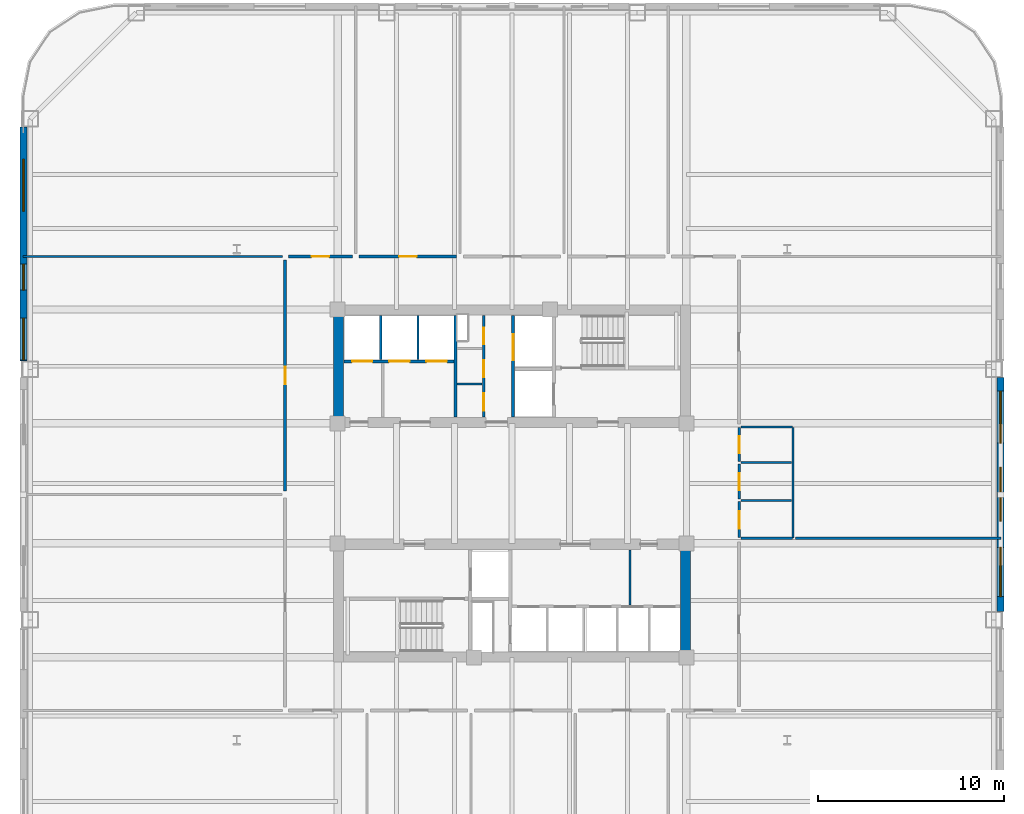
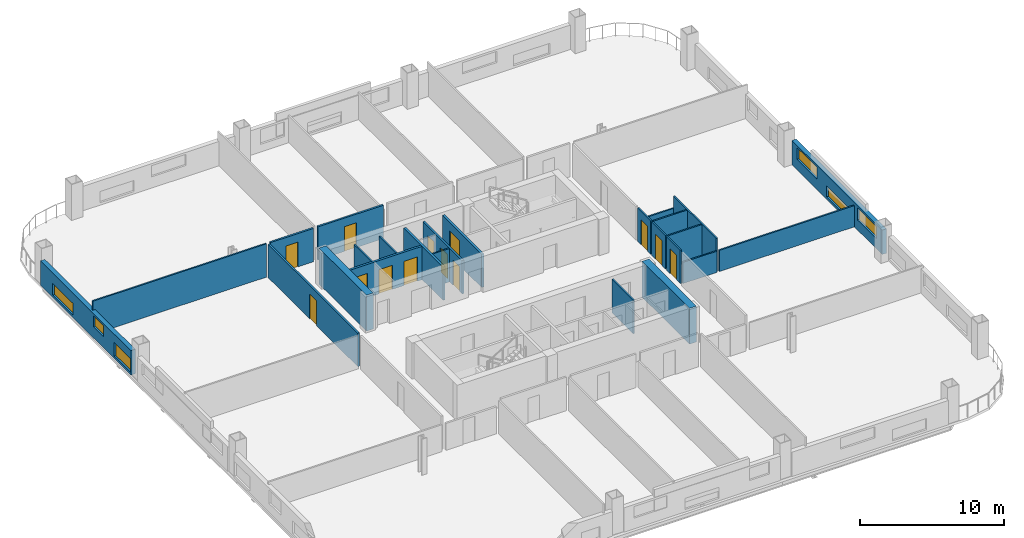
# One storey, part 4 of 12: 25 walls, 13 doors, 6 windows, 19 openings.
"""IFC4 building model written with IfcOpenShell, lengths in metres."""

from ifc_helpers import new_model, si_unit, direction, frame, frame_2d, origin, place, context, subcontext, project, spatial, rectangle, extrude, material, layer, layer_set, type_object, element, fill, save


model = new_model("IFC4")

# Units and contexts
model_context = context("Model", 3, precision=1e-05, world=origin(), true_north=direction((0.0, 1.0)))
body_context = subcontext(model_context, "Body", "Model", "MODEL_VIEW")
ifc_project = project(units=[si_unit("LENGTHUNIT", "METRE"), si_unit("AREAUNIT", "SQUARE_METRE"), si_unit("VOLUMEUNIT", "CUBIC_METRE"), si_unit("PLANEANGLEUNIT", "RADIAN"), si_unit("MASSUNIT", "GRAM", prefix="KILO")], contexts=[model_context])

# Site, building, storey
site_placement = place(None, origin())
site = spatial("IfcSite", under=ifc_project, at=site_placement, CompositionType="ELEMENT")
building_placement = place(site_placement, origin())
building = spatial("IfcBuilding", under=site, at=building_placement, Name="Qhalaya Broadcast Tower", CompositionType="ELEMENT")
storey_placement = place(building_placement, frame((0.0, 0.0, 41.35009765625)))
storey = spatial("IfcBuildingStorey", under=building, at=storey_placement, Name="L11", CompositionType="ELEMENT", Elevation=41.35009765625)

# Wall, openings, doors
ifc_material_1 = material(Name="Gypsum Acoustic Partition")
ifc_layer_1 = layer(ifc_material_1, 0.14990234375, Name="Gypsum Acoustic Partition")
ifc_layer_set_1 = layer_set([ifc_layer_1], Name="Gypsum Acoustic Partition")
wall_type_1 = type_object("IfcWallType", Name="Corridor & Tenancy Acoustic Partition 150", PredefinedType="PARTITIONING", material=ifc_layer_set_1)
wall_1_placement = place(storey_placement, frame((-1.52001953125, 4.169921875, 0.0), z_axis=(0.0, 0.0, 1.0), x_axis=(0.0, 1.0, 0.0)))
wall_1 = element("IfcWall", 1, at=wall_1_placement, inside=storey, type_object=wall_type_1, Name="L11 Partition Wall NCW-SVL", PredefinedType="PARTITIONING", context=body_context, shape_type="SweptSolid", body=[
    extrude(rectangle(XDim=5.4599609375, YDim=0.14990234375, at=frame_2d((2.72998046875, 0.0))), origin(), (0.0, 0.0, 1.0), 2.829833984375),
])
opening_1_placement = place(wall_1_placement, frame((3.89990234375, 0.0, 0.0)))
opening_1 = element("IfcOpeningElement", 2, at=opening_1_placement, cuts=wall_1, Name="Opening D06", PredefinedType="OPENING", context=body_context, shape_type="SweptSolid", body=[
    extrude(rectangle(XDim=0.89990234375, YDim=2.050048828125, at=frame_2d((0.449951171875, 1.02490234375))), frame((0.0, 0.0869140625, 0.0), z_axis=(0.0, -1.0, 0.0), x_axis=(1.0, 0.0, 0.0)), (0.0, 0.0, 1.0), 0.173828125),
])
opening_2_placement = place(wall_1_placement, frame((2.14990234375, 0.0, 0.0)))
opening_2 = element("IfcOpeningElement", 3, at=opening_2_placement, cuts=wall_1, Name="Opening D06", PredefinedType="OPENING", context=body_context, shape_type="SweptSolid", body=[
    extrude(rectangle(XDim=0.89990234375, YDim=2.050048828125, at=frame_2d((0.449951171875, 1.02490234375))), frame((0.0, 0.0869140625, 0.0), z_axis=(0.0, -1.0, 0.0), x_axis=(1.0, 0.0, 0.0)), (0.0, 0.0, 1.0), 0.173828125),
])
opening_3_placement = place(wall_1_placement, frame((0.35009765625, 0.0, 0.0)))
opening_3 = element("IfcOpeningElement", 4, at=opening_3_placement, cuts=wall_1, Name="Opening D12", PredefinedType="OPENING", context=body_context, shape_type="SweptSolid", body=[
    extrude(rectangle(XDim=0.919921875, YDim=2.10009765625, at=frame_2d((0.4599609375, 1.050048828125))), frame((0.0, 0.0869140625, 0.0), z_axis=(0.0, -1.0, 0.0), x_axis=(1.0, 0.0, 0.0)), (0.0, 0.0, 1.0), 0.173828125),
])
ifc_material_2 = material(Name="Timber Veneer Acoustic Door", Category="wood")
door_type_1 = type_object("IfcDoorType", Name="Accessible WC & Restroom Door D12", OperationType="NOTDEFINED", PredefinedType="DOOR", material=ifc_material_2)
door_1_placement = place(opening_3_placement, origin())
door_1 = element("IfcDoor", 5, at=door_1_placement, inside=storey, type_object=door_type_1, Name="L11 Door D-NCWC", OperationType="SINGLE_SWING_RIGHT", OverallHeight=2.10009765625, OverallWidth=0.919921875, PredefinedType="DOOR", context=body_context, shape_type="SweptSolid", body=[
    extrude(rectangle(XDim=0.919921875, YDim=2.10009765625, at=frame_2d((0.4599609375, 1.050048828125))), frame((0.0, 0.02490234375, 0.0), z_axis=(0.0, -1.0, 0.0), x_axis=(1.0, 0.0, 0.0)), (0.0, 0.0, 1.0), 0.050048828125),
])
fill(opening_3, door_1)
ifc_material_3 = material(Name="Fire-Rated Steel Door", Category="steel")
door_type_2 = type_object("IfcDoorType", Name="Riser & Electrical Shaft Access Door D06", OperationType="NOTDEFINED", PredefinedType="DOOR", material=ifc_material_3)
door_2_placement = place(opening_1_placement, origin())
door_2 = element("IfcDoor", 6, at=door_2_placement, inside=storey, type_object=door_type_2, Name="L11 Riser Shaft Access Door D-NRSR", OperationType="SINGLE_SWING_RIGHT", OverallHeight=2.050048828125, OverallWidth=0.89990234375, PredefinedType="DOOR", context=body_context, shape_type="SweptSolid", body=[
    extrude(rectangle(XDim=0.89990234375, YDim=2.050048828125, at=frame_2d((0.449951171875, 1.02490234375))), frame((0.0, 0.02490234375, 0.0), z_axis=(0.0, -1.0, 0.0), x_axis=(1.0, 0.0, 0.0)), (0.0, 0.0, 1.0), 0.050048828125),
])
fill(opening_1, door_2)
door_3_placement = place(opening_2_placement, origin())
door_3 = element("IfcDoor", 7, at=door_3_placement, inside=storey, type_object=door_type_2, Name="L11 Door D-NITR", OperationType="SINGLE_SWING_LEFT", OverallHeight=2.050048828125, OverallWidth=0.89990234375, PredefinedType="DOOR", context=body_context, shape_type="SweptSolid", body=[
    extrude(rectangle(XDim=0.89990234375, YDim=2.050048828125, at=frame_2d((0.449951171875, 1.02490234375))), frame((0.0, 0.02490234375, 0.0), z_axis=(0.0, -1.0, 0.0), x_axis=(1.0, 0.0, 0.0)), (0.0, 0.0, 1.0), 0.050048828125),
])
fill(opening_2, door_3)

# Wall, opening, door
wall_2_placement = place(storey_placement, frame((-12.02001953125, 12.800048828125, 0.0), z_axis=(0.0, 0.0, 1.0), x_axis=(1.0, 0.0, 0.0)))
wall_2 = element("IfcWall", 8, at=wall_2_placement, inside=storey, type_object=wall_type_1, Name="L11 Partition Wall W-COR-01", PredefinedType="PARTITIONING", context=body_context, shape_type="SweptSolid", body=[
    extrude(rectangle(XDim=3.43994140625, YDim=0.14990234375, at=frame_2d((1.719970703125, 0.0))), origin(), (0.0, 0.0, 1.0), 2.829833984375),
])
opening_4_placement = place(wall_2_placement, frame((1.2451171875, 0.0, 0.0)))
opening_4 = element("IfcOpeningElement", 9, at=opening_4_placement, cuts=wall_2, Name="Opening D10", PredefinedType="OPENING", context=body_context, shape_type="SweptSolid", body=[
    extrude(rectangle(XDim=0.949951171875, YDim=2.10009765625, at=frame_2d((0.47509765625, 1.050048828125))), frame((0.0, 0.0869140625, 0.0), z_axis=(0.0, -1.0, 0.0), x_axis=(1.0, 0.0, 0.0)), (0.0, 0.0, 1.0), 0.173828125),
])
door_type_3 = type_object("IfcDoorType", Name="Cellular Office & Edit Booth Door D10", OperationType="NOTDEFINED", PredefinedType="DOOR", material=ifc_material_2)
door_4_placement = place(opening_4_placement, origin())
door_4 = element("IfcDoor", 10, at=door_4_placement, inside=storey, type_object=door_type_3, Name="L11 Door D-RM01", OperationType="SINGLE_SWING_LEFT", OverallHeight=2.10009765625, OverallWidth=0.949951171875, PredefinedType="DOOR", context=body_context, shape_type="SweptSolid", body=[
    extrude(rectangle(XDim=0.949951171875, YDim=2.10009765625, at=frame_2d((0.47509765625, 1.050048828125))), frame((0.0, 0.02490234375, 0.0), z_axis=(0.0, -1.0, 0.0), x_axis=(1.0, 0.0, 0.0)), (0.0, 0.0, 1.0), 0.050048828125),
])
fill(opening_4, door_4)

wall_3_placement = place(storey_placement, frame((-8.219970703125, 12.800048828125, 0.0), z_axis=(0.0, 0.0, 1.0), x_axis=(1.0, 0.0, 0.0)))
wall_3 = element("IfcWall", 11, at=wall_3_placement, inside=storey, type_object=wall_type_1, Name="L11 Partition Wall W-COR-02", PredefinedType="PARTITIONING", context=body_context, shape_type="SweptSolid", body=[
    extrude(rectangle(XDim=5.239990234375, YDim=0.14990234375, at=frame_2d((2.6201171875, 0.0))), origin(), (0.0, 0.0, 1.0), 2.829833984375),
])
opening_5_placement = place(wall_3_placement, frame((2.14501953125, 0.0, 0.0)))
opening_5 = element("IfcOpeningElement", 12, at=opening_5_placement, cuts=wall_3, Name="Opening D10", PredefinedType="OPENING", context=body_context, shape_type="SweptSolid", body=[
    extrude(rectangle(XDim=0.949951171875, YDim=2.10009765625, at=frame_2d((0.47509765625, 1.050048828125))), frame((0.0, 0.0869140625, 0.0), z_axis=(0.0, -1.0, 0.0), x_axis=(1.0, 0.0, 0.0)), (0.0, 0.0, 1.0), 0.173828125),
])
door_5_placement = place(opening_5_placement, origin())
door_5 = element("IfcDoor", 13, at=door_5_placement, inside=storey, type_object=door_type_3, Name="L11 Door D-RM02", OperationType="SINGLE_SWING_RIGHT", OverallHeight=2.10009765625, OverallWidth=0.949951171875, PredefinedType="DOOR", context=body_context, shape_type="SweptSolid", body=[
    extrude(rectangle(XDim=0.949951171875, YDim=2.10009765625, at=frame_2d((0.47509765625, 1.050048828125))), frame((0.0, 0.02490234375, 0.0), z_axis=(0.0, -1.0, 0.0), x_axis=(1.0, 0.0, 0.0)), (0.0, 0.0, 1.0), 0.050048828125),
])
fill(opening_5, door_5)

wall_4_placement = place(storey_placement, frame((-12.199951171875, 0.179931640625, 0.0), z_axis=(0.0, 0.0, 1.0), x_axis=(0.0, 1.0, 0.0)))
wall_4 = element("IfcWall", 14, at=wall_4_placement, inside=storey, type_object=wall_type_1, Name="L11 Partition Wall W-COR-12", PredefinedType="PARTITIONING", context=body_context, shape_type="SweptSolid", body=[
    extrude(rectangle(XDim=12.440185546875, YDim=0.14990234375, at=frame_2d((6.22021484375, 0.0))), origin(), (0.0, 0.0, 1.0), 2.829833984375),
])
opening_6_placement = place(wall_4_placement, frame((5.7451171875, 0.0, 0.0)))
opening_6 = element("IfcOpeningElement", 15, at=opening_6_placement, cuts=wall_4, Name="Opening D10", PredefinedType="OPENING", context=body_context, shape_type="SweptSolid", body=[
    extrude(rectangle(XDim=0.949951171875, YDim=2.10009765625, at=frame_2d((0.47509765625, 1.050048828125))), frame((0.0, 0.0869140625, 0.0), z_axis=(0.0, -1.0, 0.0), x_axis=(1.0, 0.0, 0.0)), (0.0, 0.0, 1.0), 0.173828125),
])
door_6_placement = place(opening_6_placement, origin())
door_6 = element("IfcDoor", 16, at=door_6_placement, inside=storey, type_object=door_type_3, Name="L11 Door D-RM12", OperationType="SINGLE_SWING_RIGHT", OverallHeight=2.10009765625, OverallWidth=0.949951171875, PredefinedType="DOOR", context=body_context, shape_type="SweptSolid", body=[
    extrude(rectangle(XDim=0.949951171875, YDim=2.10009765625, at=frame_2d((0.47509765625, 1.050048828125))), frame((0.0, 0.02490234375, 0.0), z_axis=(0.0, -1.0, 0.0), x_axis=(1.0, 0.0, 0.0)), (0.0, 0.0, 1.0), 0.050048828125),
])
fill(opening_6, door_6)

# Wall, openings, windows
ifc_material_4 = material(Name="Precast Concrete C40/50", Category="concrete")
ifc_layer_2 = layer(ifc_material_4, 0.360107421875, Name="Precast Concrete C40/50")
ifc_layer_set_2 = layer_set([ifc_layer_2], Name="Precast Concrete C40/50")
wall_type_2 = type_object("IfcWallType", Name="Insulated Precast Terracotta Exterior Wall 360", PredefinedType="SOLIDWALL", material=ifc_layer_set_2)
wall_5_placement = place(storey_placement, frame((26.260009765625, 6.283203125, 0.0), z_axis=(0.0, 0.0, 1.0), x_axis=(0.0, -1.0, 0.0)))
wall_5 = element("IfcWall", 17, at=wall_5_placement, inside=storey, type_object=wall_type_2, Name="L11 Exoskeleton Diagrid Infill Wall E2", PredefinedType="SOLIDWALL", context=body_context, shape_type="SweptSolid", body=[
    extrude(rectangle(XDim=12.56640625, YDim=0.360107421875, at=frame_2d((6.283203125, 0.0))), origin(), (0.0, 0.0, 1.0), 2.06689453125),
])
opening_7_placement = place(wall_5_placement, frame((0.720947265625, 0.0, 0.89990234375)))
opening_7 = element("IfcOpeningElement", 18, at=opening_7_placement, cuts=wall_5, Name="Opening W11", PredefinedType="OPENING", context=body_context, shape_type="SweptSolid", body=[
    extrude(rectangle(XDim=2.800048828125, YDim=1.0, at=frame_2d((1.39990234375, 0.5))), frame((0.0, 0.192138671875, 0.0), z_axis=(0.0, -1.0, 0.0), x_axis=(1.0, 0.0, 0.0)), (0.0, 0.0, 1.0), 0.384033203125),
])
opening_8_placement = place(wall_5_placement, frame((4.821044921875, 0.0, 0.199951171875)))
opening_8 = element("IfcOpeningElement", 19, at=opening_8_placement, cuts=wall_5, Name="Opening W11", PredefinedType="OPENING", context=body_context, shape_type="SweptSolid", body=[
    extrude(rectangle(XDim=2.89990234375, YDim=0.949951171875, at=frame_2d((1.449951171875, 0.47509765625))), frame((0.0, 0.192138671875, 0.0), z_axis=(0.0, -1.0, 0.0), x_axis=(1.0, 0.0, 0.0)), (0.0, 0.0, 1.0), 0.384033203125),
])
opening_9_placement = place(wall_5_placement, frame((9.12109375, 0.0, 0.85009765625)))
opening_9 = element("IfcOpeningElement", 20, at=opening_9_placement, cuts=wall_5, Name="Opening W11", PredefinedType="OPENING", context=body_context, shape_type="SweptSolid", body=[
    extrude(rectangle(XDim=2.64990234375, YDim=1.050048828125, at=frame_2d((1.324951171875, 0.52490234375))), frame((0.0, 0.192138671875, 0.0), z_axis=(0.0, -1.0, 0.0), x_axis=(1.0, 0.0, 0.0)), (0.0, 0.0, 1.0), 0.384033203125),
])
ifc_material_5 = material(Name="Solar-Control Low-E Triple Glazing", Category="glass")
window_type = type_object("IfcWindowType", Name="Odd-Block Diagrid Infill Window W11", PartitioningType="SINGLE_PANEL", PredefinedType="WINDOW", material=ifc_material_5)
window_1_placement = place(opening_7_placement, origin())
window_1 = element("IfcWindow", 21, at=window_1_placement, inside=storey, type_object=window_type, Name="L11 Diagrid Infill Window W11-E4", OverallHeight=1.0, OverallWidth=2.800048828125, PartitioningType="SINGLE_PANEL", PredefinedType="WINDOW", context=body_context, shape_type="SweptSolid", body=[
    extrude(rectangle(XDim=2.800048828125, YDim=1.0, at=frame_2d((1.39990234375, 0.5))), frame((0.0, 0.030029296875, 0.0), z_axis=(0.0, -1.0, 0.0), x_axis=(1.0, 0.0, 0.0)), (0.0, 0.0, 1.0), 0.06005859375),
])
fill(opening_7, window_1)
window_2_placement = place(opening_8_placement, origin())
window_2 = element("IfcWindow", 22, at=window_2_placement, inside=storey, type_object=window_type, Name="L11 Diagrid Infill Window W11-E5", OverallHeight=0.949951171875, OverallWidth=2.89990234375, PartitioningType="SINGLE_PANEL", PredefinedType="WINDOW", context=body_context, shape_type="SweptSolid", body=[
    extrude(rectangle(XDim=2.89990234375, YDim=0.949951171875, at=frame_2d((1.449951171875, 0.47509765625))), frame((0.0, 0.030029296875, 0.0), z_axis=(0.0, -1.0, 0.0), x_axis=(1.0, 0.0, 0.0)), (0.0, 0.0, 1.0), 0.06005859375),
])
fill(opening_8, window_2)
window_3_placement = place(opening_9_placement, origin())
window_3 = element("IfcWindow", 23, at=window_3_placement, inside=storey, type_object=window_type, Name="L11 Diagrid Infill Window W11-E6", OverallHeight=1.050048828125, OverallWidth=2.64990234375, PartitioningType="SINGLE_PANEL", PredefinedType="WINDOW", context=body_context, shape_type="SweptSolid", body=[
    extrude(rectangle(XDim=2.64990234375, YDim=1.050048828125, at=frame_2d((1.324951171875, 0.52490234375))), frame((0.0, 0.030029296875, 0.0), z_axis=(0.0, -1.0, 0.0), x_axis=(1.0, 0.0, 0.0)), (0.0, 0.0, 1.0), 0.06005859375),
])
fill(opening_9, window_3)

wall_6_placement = place(storey_placement, frame((-26.260009765625, 7.183349609375, 0.0), z_axis=(0.0, 0.0, 1.0), x_axis=(0.0, 1.0, 0.0)))
wall_6 = element("IfcWall", 24, at=wall_6_placement, inside=storey, type_object=wall_type_2, Name="L11 Exoskeleton Diagrid Infill Wall W3", PredefinedType="SOLIDWALL", context=body_context, shape_type="SweptSolid", body=[
    extrude(rectangle(XDim=12.57861328125, YDim=0.360107421875, at=frame_2d((6.289306640625, 0.0))), origin(), (0.0, 0.0, 1.0), 2.06689453125),
])
opening_10_placement = place(wall_6_placement, frame((0.054931640625, 0.0, 0.199951171875)))
opening_10 = element("IfcOpeningElement", 25, at=opening_10_placement, cuts=wall_6, Name="Opening W11", PredefinedType="OPENING", context=body_context, shape_type="SweptSolid", body=[
    extrude(rectangle(XDim=2.25, YDim=1.14990234375, at=frame_2d((1.125, 0.574951171875))), frame((0.0, 0.192138671875, 0.0), z_axis=(0.0, -1.0, 0.0), x_axis=(1.0, 0.0, 0.0)), (0.0, 0.0, 1.0), 0.384033203125),
])
opening_11_placement = place(wall_6_placement, frame((3.804931640625, 0.0, 0.949951171875)))
opening_11 = element("IfcOpeningElement", 26, at=opening_11_placement, cuts=wall_6, Name="Opening W11", PredefinedType="OPENING", context=body_context, shape_type="SweptSolid", body=[
    extrude(rectangle(XDim=1.39990234375, YDim=0.949951171875, at=frame_2d((0.699951171875, 0.47509765625))), frame((0.0, 0.192138671875, 0.0), z_axis=(0.0, -1.0, 0.0), x_axis=(1.0, 0.0, 0.0)), (0.0, 0.0, 1.0), 0.384033203125),
])
opening_12_placement = place(wall_6_placement, frame((8.054931640625, 0.0, 0.199951171875)))
opening_12 = element("IfcOpeningElement", 27, at=opening_12_placement, cuts=wall_6, Name="Opening W11", PredefinedType="OPENING", context=body_context, shape_type="SweptSolid", body=[
    extrude(rectangle(XDim=2.800048828125, YDim=1.0, at=frame_2d((1.39990234375, 0.5))), frame((0.0, 0.192138671875, 0.0), z_axis=(0.0, -1.0, 0.0), x_axis=(1.0, 0.0, 0.0)), (0.0, 0.0, 1.0), 0.384033203125),
])
window_4_placement = place(opening_10_placement, origin())
window_4 = element("IfcWindow", 28, at=window_4_placement, inside=storey, type_object=window_type, Name="L11 Diagrid Infill Window W11-W6", OverallHeight=1.14990234375, OverallWidth=2.25, PartitioningType="SINGLE_PANEL", PredefinedType="WINDOW", context=body_context, shape_type="SweptSolid", body=[
    extrude(rectangle(XDim=2.25, YDim=1.14990234375, at=frame_2d((1.125, 0.574951171875))), frame((0.0, 0.030029296875, 0.0), z_axis=(0.0, -1.0, 0.0), x_axis=(1.0, 0.0, 0.0)), (0.0, 0.0, 1.0), 0.06005859375),
])
fill(opening_10, window_4)
window_5_placement = place(opening_11_placement, origin())
window_5 = element("IfcWindow", 29, at=window_5_placement, inside=storey, type_object=window_type, Name="L11 Diagrid Infill Window W11-W7", OverallHeight=0.949951171875, OverallWidth=1.39990234375, PartitioningType="SINGLE_PANEL", PredefinedType="WINDOW", context=body_context, shape_type="SweptSolid", body=[
    extrude(rectangle(XDim=1.39990234375, YDim=0.949951171875, at=frame_2d((0.699951171875, 0.47509765625))), frame((0.0, 0.030029296875, 0.0), z_axis=(0.0, -1.0, 0.0), x_axis=(1.0, 0.0, 0.0)), (0.0, 0.0, 1.0), 0.06005859375),
])
fill(opening_11, window_5)
window_6_placement = place(opening_12_placement, origin())
window_6 = element("IfcWindow", 30, at=window_6_placement, inside=storey, type_object=window_type, Name="L11 Diagrid Infill Window W11-W8", OverallHeight=1.0, OverallWidth=2.800048828125, PartitioningType="SINGLE_PANEL", PredefinedType="WINDOW", context=body_context, shape_type="SweptSolid", body=[
    extrude(rectangle(XDim=2.800048828125, YDim=1.0, at=frame_2d((1.39990234375, 0.5))), frame((0.0, 0.030029296875, 0.0), z_axis=(0.0, -1.0, 0.0), x_axis=(1.0, 0.0, 0.0)), (0.0, 0.0, 1.0), 0.06005859375),
])
fill(opening_12, window_6)

# Walls
ifc_material_6 = material(Name="Concrete C60/75", Category="concrete")
ifc_layer_3 = layer(ifc_material_6, 0.550048828125, Name="Concrete C60/75")
ifc_layer_set_3 = layer_set([ifc_layer_3], Name="Concrete C60/75")
wall_type_3 = type_object("IfcWallType", Name="Lower Split-Core Shear Wall 550", PredefinedType="SHEAR", material=ifc_layer_set_3)
wall_7_placement = place(storey_placement, frame((-9.324951171875, 3.60009765625, 0.0), z_axis=(0.0, 0.0, 1.0), x_axis=(0.0, 1.0, 0.0)))
element("IfcWall", 31, at=wall_7_placement, inside=storey, type_object=wall_type_3, Name="L11 Split-Core Shear Wall CW-NW", PredefinedType="SHEAR", context=body_context, shape_type="SweptSolid", body=[
    extrude(rectangle(XDim=6.599853515625, YDim=0.550048828125, at=frame_2d((3.2998046875, 0.0))), origin(), (0.0, 0.0, 1.0), 3.0498046875),
])
wall_8_placement = place(storey_placement, frame((9.324951171875, -9.0, 0.0), z_axis=(0.0, 0.0, 1.0), x_axis=(0.0, 1.0, 0.0)))
element("IfcWall", 32, at=wall_8_placement, inside=storey, type_object=wall_type_3, Name="L11 Split-Core Shear Wall CW-SE", PredefinedType="SHEAR", context=body_context, shape_type="SweptSolid", body=[
    extrude(rectangle(XDim=6.60009765625, YDim=0.550048828125, at=frame_2d((3.300048828125, 0.0))), origin(), (0.0, 0.0, 1.0), 3.0498046875),
])
ifc_layer_4 = layer(ifc_material_1, 0.1201171875, Name="Gypsum Acoustic Partition")
ifc_layer_set_4 = layer_set([ifc_layer_4], Name="Gypsum Acoustic Partition")
wall_type_4 = type_object("IfcWallType", Name="Office, Booth & Sanitary Partition 120", PredefinedType="PARTITIONING", material=ifc_layer_set_4)
wall_9_placement = place(storey_placement, frame((-2.9599609375, 5.949951171875, 0.0), z_axis=(0.0, 0.0, 1.0), x_axis=(1.0, 0.0, 0.0)))
element("IfcWall", 33, at=wall_9_placement, inside=storey, type_object=wall_type_4, Name="L11 Partition Wall NCW-VB1", PredefinedType="PARTITIONING", context=body_context, shape_type="SweptSolid", body=[
    extrude(rectangle(XDim=1.35986328125, YDim=0.1201171875, at=frame_2d((0.679931640625, 0.0))), origin(), (0.0, 0.0, 1.0), 2.829833984375),
])
for number, where, z_axis, x_axis, name in (
    (34, (-7.06005859375, 7.25, 0.0), (0.0, 0.0, 1.0), (0.0, 1.0, 0.0), "L11 Partition Wall NCW-PD1"),
    (35, (-5.06005859375, 7.25, 0.0), (0.0, 0.0, 1.0), (0.0, 1.0, 0.0), "L11 Partition Wall NCW-PD2"),
):
    element("IfcWall", number, at=place(storey_placement, frame(where, z_axis=z_axis, x_axis=x_axis)), inside=storey, type_object=wall_type_4, Name=name, PredefinedType="PARTITIONING", context=body_context, shape_type="SweptSolid", body=[
        extrude(rectangle(XDim=2.3798828125, YDim=0.1201171875, at=frame_2d((1.18994140625, 0.0))), origin(), (0.0, 0.0, 1.0), 2.829833984375),
    ])
wall_10_placement = place(storey_placement, frame((6.35009765625, -5.93994140625, 0.0), z_axis=(0.0, 0.0, 1.0), x_axis=(0.0, 1.0, 0.0)))
element("IfcWall", 36, at=wall_10_placement, inside=storey, type_object=wall_type_4, Name="L11 Partition Wall SCW-LKB", PredefinedType="PARTITIONING", context=body_context, shape_type="SweptSolid", body=[
    extrude(rectangle(XDim=2.969970703125, YDim=0.1201171875, at=frame_2d((1.48486328125, 0.0))), origin(), (0.0, 0.0, 1.0), 2.829833984375),
])

# Wall, opening, door
wall_11_placement = place(storey_placement, frame((12.219970703125, -2.320068359375, 0.0), z_axis=(0.0, 0.0, 1.0), x_axis=(0.0, 1.0, 0.0)))
wall_11 = element("IfcWall", 37, at=wall_11_placement, inside=storey, type_object=wall_type_4, Name="L11 Partition Wall W-WCWA", PredefinedType="PARTITIONING", context=body_context, shape_type="SweptSolid", body=[
    extrude(rectangle(XDim=1.940185546875, YDim=0.1201171875, at=frame_2d((0.97021484375, 0.0))), origin(), (0.0, 0.0, 1.0), 2.829833984375),
])
opening_13_placement = place(wall_11_placement, frame((0.4951171875, 0.0, 0.0)))
opening_13 = element("IfcOpeningElement", 38, at=opening_13_placement, cuts=wall_11, Name="Opening D12", PredefinedType="OPENING", context=body_context, shape_type="SweptSolid", body=[
    extrude(rectangle(XDim=0.919921875, YDim=2.10009765625, at=frame_2d((0.4599609375, 1.050048828125))), frame((0.0, 0.072021484375, 0.0), z_axis=(0.0, -1.0, 0.0), x_axis=(1.0, 0.0, 0.0)), (0.0, 0.0, 1.0), 0.14404296875),
])
door_7_placement = place(opening_13_placement, origin())
door_7 = element("IfcDoor", 39, at=door_7_placement, inside=storey, type_object=door_type_1, Name="L11 Door D-WCA", OperationType="SINGLE_SWING_LEFT", OverallHeight=2.10009765625, OverallWidth=0.919921875, PredefinedType="DOOR", context=body_context, shape_type="SweptSolid", body=[
    extrude(rectangle(XDim=0.919921875, YDim=2.10009765625, at=frame_2d((0.4599609375, 1.050048828125))), frame((0.0, 0.02490234375, 0.0), z_axis=(0.0, -1.0, 0.0), x_axis=(1.0, 0.0, 0.0)), (0.0, 0.0, 1.0), 0.050048828125),
])
fill(opening_13, door_7)

wall_12_placement = place(storey_placement, frame((12.219970703125, -0.25, 0.0), z_axis=(0.0, 0.0, 1.0), x_axis=(0.0, 1.0, 0.0)))
wall_12 = element("IfcWall", 40, at=wall_12_placement, inside=storey, type_object=wall_type_4, Name="L11 Partition Wall W-WCWM", PredefinedType="PARTITIONING", context=body_context, shape_type="SweptSolid", body=[
    extrude(rectangle(XDim=1.89990234375, YDim=0.1201171875, at=frame_2d((0.949951171875, 0.0))), origin(), (0.0, 0.0, 1.0), 2.829833984375),
])
opening_14_placement = place(wall_12_placement, frame((0.47509765625, 0.0, 0.0)))
opening_14 = element("IfcOpeningElement", 41, at=opening_14_placement, cuts=wall_12, Name="Opening D12", PredefinedType="OPENING", context=body_context, shape_type="SweptSolid", body=[
    extrude(rectangle(XDim=0.919921875, YDim=2.10009765625, at=frame_2d((0.4599609375, 1.050048828125))), frame((0.0, 0.072021484375, 0.0), z_axis=(0.0, -1.0, 0.0), x_axis=(1.0, 0.0, 0.0)), (0.0, 0.0, 1.0), 0.14404296875),
])
door_8_placement = place(opening_14_placement, origin())
door_8 = element("IfcDoor", 42, at=door_8_placement, inside=storey, type_object=door_type_1, Name="L11 Door D-WCM", OperationType="SINGLE_SWING_RIGHT", OverallHeight=2.10009765625, OverallWidth=0.919921875, PredefinedType="DOOR", context=body_context, shape_type="SweptSolid", body=[
    extrude(rectangle(XDim=0.919921875, YDim=2.10009765625, at=frame_2d((0.4599609375, 1.050048828125))), frame((0.0, 0.02490234375, 0.0), z_axis=(0.0, -1.0, 0.0), x_axis=(1.0, 0.0, 0.0)), (0.0, 0.0, 1.0), 0.050048828125),
])
fill(opening_14, door_8)

wall_13_placement = place(storey_placement, frame((12.219970703125, 1.780029296875, 0.0), z_axis=(0.0, 0.0, 1.0), x_axis=(0.0, 1.0, 0.0)))
wall_13 = element("IfcWall", 43, at=wall_13_placement, inside=storey, type_object=wall_type_4, Name="L11 Partition Wall W-WCWF", PredefinedType="PARTITIONING", context=body_context, shape_type="SweptSolid", body=[
    extrude(rectangle(XDim=1.830078125, YDim=0.1201171875, at=frame_2d((0.9150390625, 0.0))), origin(), (0.0, 0.0, 1.0), 2.829833984375),
])
opening_15_placement = place(wall_13_placement, frame((0.43994140625, 0.0, 0.0)))
opening_15 = element("IfcOpeningElement", 44, at=opening_15_placement, cuts=wall_13, Name="Opening D12", PredefinedType="OPENING", context=body_context, shape_type="SweptSolid", body=[
    extrude(rectangle(XDim=0.919921875, YDim=2.10009765625, at=frame_2d((0.4599609375, 1.050048828125))), frame((0.0, 0.072021484375, 0.0), z_axis=(0.0, -1.0, 0.0), x_axis=(1.0, 0.0, 0.0)), (0.0, 0.0, 1.0), 0.14404296875),
])
door_9_placement = place(opening_15_placement, origin())
door_9 = element("IfcDoor", 45, at=door_9_placement, inside=storey, type_object=door_type_1, Name="L11 Door D-WCF", OperationType="SINGLE_SWING_LEFT", OverallHeight=2.10009765625, OverallWidth=0.919921875, PredefinedType="DOOR", context=body_context, shape_type="SweptSolid", body=[
    extrude(rectangle(XDim=0.919921875, YDim=2.10009765625, at=frame_2d((0.4599609375, 1.050048828125))), frame((0.0, 0.02490234375, 0.0), z_axis=(0.0, -1.0, 0.0), x_axis=(1.0, 0.0, 0.0)), (0.0, 0.0, 1.0), 0.050048828125),
])
fill(opening_15, door_9)

# Walls
wall_14_placement = place(storey_placement, frame((15.10009765625, -2.320068359375, 0.0), z_axis=(0.0, 0.0, 1.0), x_axis=(0.0, 1.0, 0.0)))
element("IfcWall", 46, at=wall_14_placement, inside=storey, type_object=wall_type_4, Name="L11 Partition Wall W-WCE", PredefinedType="PARTITIONING", context=body_context, shape_type="SweptSolid", body=[
    extrude(rectangle(XDim=5.93017578125, YDim=0.1201171875, at=frame_2d((2.965087890625, 0.0))), origin(), (0.0, 0.0, 1.0), 2.829833984375),
])
for number, where, z_axis, x_axis, name in (
    (47, (12.31005859375, -2.35009765625, 0.0), (0.0, 0.0, 1.0), (1.0, 0.0, 0.0), "L11 Partition Wall W-WCS"),
    (48, (12.31005859375, 3.639892578125, 0.0), (0.0, 0.0, 1.0), (1.0, 0.0, 0.0), "L11 Partition Wall W-WCN"),
):
    element("IfcWall", number, at=place(storey_placement, frame(where, z_axis=z_axis, x_axis=x_axis)), inside=storey, type_object=wall_type_4, Name=name, PredefinedType="PARTITIONING", context=body_context, shape_type="SweptSolid", body=[
        extrude(rectangle(XDim=2.760009765625, YDim=0.1201171875, at=frame_2d((1.3798828125, 0.0))), origin(), (0.0, 0.0, 1.0), 1.798828125),
    ])
for number, where, z_axis, x_axis, name in (
    (49, (12.31005859375, -0.320068359375, 0.0), (0.0, 0.0, 1.0), (1.0, 0.0, 0.0), "L11 Partition Wall W-WCD1"),
    (50, (12.31005859375, 1.719970703125, 0.0), (0.0, 0.0, 1.0), (1.0, 0.0, 0.0), "L11 Partition Wall W-WCD2"),
):
    element("IfcWall", number, at=place(storey_placement, frame(where, z_axis=z_axis, x_axis=x_axis)), inside=storey, type_object=wall_type_4, Name=name, PredefinedType="PARTITIONING", context=body_context, shape_type="SweptSolid", body=[
        extrude(rectangle(XDim=2.719970703125, YDim=0.1201171875, at=frame_2d((1.35986328125, 0.0))), origin(), (0.0, 0.0, 1.0), 2.829833984375),
    ])
wall_15_placement = place(storey_placement, frame((-26.280029296875, 12.800048828125, 0.0), z_axis=(0.0, 0.0, 1.0), x_axis=(1.0, 0.0, 0.0)))
element("IfcWall", 51, at=wall_15_placement, inside=storey, type_object=wall_type_4, Name="L11 Partition Wall W-BNDW1", PredefinedType="PARTITIONING", context=body_context, shape_type="SweptSolid", body=[
    extrude(rectangle(XDim=13.93994140625, YDim=0.1201171875, at=frame_2d((6.969970703125, 0.0))), origin(), (0.0, 0.0, 1.0), 2.829833984375),
])
wall_16_placement = place(storey_placement, frame((15.239990234375, -2.35009765625, 0.0), z_axis=(0.0, 0.0, 1.0), x_axis=(1.0, 0.0, 0.0)))
element("IfcWall", 52, at=wall_16_placement, inside=storey, type_object=wall_type_4, Name="L11 Partition Wall W-DIVE-WC", PredefinedType="PARTITIONING", context=body_context, shape_type="SweptSolid", body=[
    extrude(rectangle(XDim=11.0400390625, YDim=0.1201171875, at=frame_2d((5.52001953125, 0.0))), origin(), (0.0, 0.0, 1.0), 1.798828125),
])

# Wall, opening, door
ifc_layer_5 = layer(ifc_material_1, 0.175048828125, Name="Gypsum Acoustic Partition")
ifc_layer_set_5 = layer_set([ifc_layer_5], Name="Gypsum Acoustic Partition")
wall_type_5 = type_object("IfcWallType", Name="Shaft & Riser Fire Partition 175", PredefinedType="PARTITIONING", material=ifc_layer_set_5)
wall_17_placement = place(storey_placement, frame((0.06005859375, 4.169921875, 0.0), z_axis=(0.0, 0.0, 1.0), x_axis=(0.0, 1.0, 0.0)))
wall_17 = element("IfcWall", 53, at=wall_17_placement, inside=storey, type_object=wall_type_5, Name="L11 Partition Wall NCW-SVW", PredefinedType="PARTITIONING", context=body_context, shape_type="SweptSolid", body=[
    extrude(rectangle(XDim=5.4599609375, YDim=0.175048828125, at=frame_2d((2.72998046875, 0.0))), origin(), (0.0, 0.0, 1.0), 2.829833984375),
])
opening_16_placement = place(wall_17_placement, frame((3.050048828125, 0.0, 0.0)))
opening_16 = element("IfcOpeningElement", 54, at=opening_16_placement, cuts=wall_17, Name="Opening LD3", PredefinedType="OPENING", context=body_context, shape_type="SweptSolid", body=[
    extrude(rectangle(XDim=1.39990234375, YDim=2.1201171875, at=frame_2d((0.699951171875, 1.06005859375))), frame((0.0, 0.099609375, 0.0), z_axis=(0.0, -1.0, 0.0), x_axis=(1.0, 0.0, 0.0)), (0.0, 0.0, 1.0), 0.198974609375),
])
ifc_material_7 = material(Name="Brushed Stainless Steel Lift Door", Category="steel")
door_type_4 = type_object("IfcDoorType", Name="Service Lift Wide Sliding Landing Door LD3", OperationType="DOUBLE_DOOR_SLIDING", PredefinedType="DOOR", material=ifc_material_7)
door_10_placement = place(opening_16_placement, origin())
door_10 = element("IfcDoor", 55, at=door_10_placement, inside=storey, type_object=door_type_4, Name="L11 Door LD-SV1", OperationType="DOUBLE_DOOR_SLIDING", OverallHeight=2.1201171875, OverallWidth=1.39990234375, PredefinedType="DOOR", context=body_context, shape_type="SweptSolid", body=[
    extrude(rectangle(XDim=1.39990234375, YDim=2.1201171875, at=frame_2d((0.699951171875, 1.06005859375))), frame((0.0, 0.02490234375, 0.0), z_axis=(0.0, -1.0, 0.0), x_axis=(1.0, 0.0, 0.0)), (0.0, 0.0, 1.0), 0.050048828125),
])
fill(opening_16, door_10)

# Wall
wall_18_placement = place(storey_placement, frame((-3.0400390625, 4.169921875, 0.0), z_axis=(0.0, 0.0, 1.0), x_axis=(0.0, 1.0, 0.0)))
element("IfcWall", 56, at=wall_18_placement, inside=storey, type_object=wall_type_5, Name="L11 Partition Wall NCW-VRW", PredefinedType="PARTITIONING", context=body_context, shape_type="SweptSolid", body=[
    extrude(rectangle(XDim=5.4599609375, YDim=0.175048828125, at=frame_2d((2.72998046875, 0.0))), origin(), (0.0, 0.0, 1.0), 2.829833984375),
])

# Wall, openings, doors
wall_19_placement = place(storey_placement, frame((-9.030029296875, 7.159912109375, 0.0), z_axis=(0.0, 0.0, 1.0), x_axis=(1.0, 0.0, 0.0)))
wall_19 = element("IfcWall", 57, at=wall_19_placement, inside=storey, type_object=wall_type_5, Name="L11 Partition Wall NCW-PLB", PredefinedType="PARTITIONING", context=body_context, shape_type="SweptSolid", body=[
    extrude(rectangle(XDim=5.909912109375, YDim=0.175048828125, at=frame_2d((2.955078125, 0.0))), origin(), (0.0, 0.0, 1.0), 2.829833984375),
])
opening_17_placement = place(wall_19_placement, frame((0.429931640625, 0.0, 0.0)))
opening_17 = element("IfcOpeningElement", 58, at=opening_17_placement, cuts=wall_19, Name="Opening LD1", PredefinedType="OPENING", context=body_context, shape_type="SweptSolid", body=[
    extrude(rectangle(XDim=1.10009765625, YDim=2.06005859375, at=frame_2d((0.550048828125, 1.030029296875))), frame((0.0, 0.099609375, 0.0), z_axis=(0.0, -1.0, 0.0), x_axis=(1.0, 0.0, 0.0)), (0.0, 0.0, 1.0), 0.198974609375),
])
opening_18_placement = place(wall_19_placement, frame((2.429931640625, 0.0, 0.0)))
opening_18 = element("IfcOpeningElement", 59, at=opening_18_placement, cuts=wall_19, Name="Opening LD1", PredefinedType="OPENING", context=body_context, shape_type="SweptSolid", body=[
    extrude(rectangle(XDim=1.10009765625, YDim=2.06005859375, at=frame_2d((0.550048828125, 1.030029296875))), frame((0.0, 0.099609375, 0.0), z_axis=(0.0, -1.0, 0.0), x_axis=(1.0, 0.0, 0.0)), (0.0, 0.0, 1.0), 0.198974609375),
])
opening_19_placement = place(wall_19_placement, frame((4.429931640625, 0.0, 0.0)))
opening_19 = element("IfcOpeningElement", 60, at=opening_19_placement, cuts=wall_19, Name="Opening LD1", PredefinedType="OPENING", context=body_context, shape_type="SweptSolid", body=[
    extrude(rectangle(XDim=1.10009765625, YDim=2.06005859375, at=frame_2d((0.550048828125, 1.030029296875))), frame((0.0, 0.099609375, 0.0), z_axis=(0.0, -1.0, 0.0), x_axis=(1.0, 0.0, 0.0)), (0.0, 0.0, 1.0), 0.198974609375),
])
door_type_5 = type_object("IfcDoorType", Name="Passenger Lift Sliding Landing Door LD1", OperationType="DOUBLE_DOOR_SLIDING", PredefinedType="DOOR", material=ifc_material_7)
door_11_placement = place(opening_17_placement, origin())
door_11 = element("IfcDoor", 61, at=door_11_placement, inside=storey, type_object=door_type_5, Name="L11 Door LD-P1", OperationType="DOUBLE_DOOR_SLIDING", OverallHeight=2.06005859375, OverallWidth=1.10009765625, PredefinedType="DOOR", context=body_context, shape_type="SweptSolid", body=[
    extrude(rectangle(XDim=1.10009765625, YDim=2.06005859375, at=frame_2d((0.550048828125, 1.030029296875))), frame((0.0, 0.02490234375, 0.0), z_axis=(0.0, -1.0, 0.0), x_axis=(1.0, 0.0, 0.0)), (0.0, 0.0, 1.0), 0.050048828125),
])
fill(opening_17, door_11)
door_12_placement = place(opening_18_placement, origin())
door_12 = element("IfcDoor", 62, at=door_12_placement, inside=storey, type_object=door_type_5, Name="L11 Door LD-P2", OperationType="DOUBLE_DOOR_SLIDING", OverallHeight=2.06005859375, OverallWidth=1.10009765625, PredefinedType="DOOR", context=body_context, shape_type="SweptSolid", body=[
    extrude(rectangle(XDim=1.10009765625, YDim=2.06005859375, at=frame_2d((0.550048828125, 1.030029296875))), frame((0.0, 0.02490234375, 0.0), z_axis=(0.0, -1.0, 0.0), x_axis=(1.0, 0.0, 0.0)), (0.0, 0.0, 1.0), 0.050048828125),
])
fill(opening_18, door_12)
door_13_placement = place(opening_19_placement, origin())
door_13 = element("IfcDoor", 63, at=door_13_placement, inside=storey, type_object=door_type_5, Name="L11 Door LD-P3", OperationType="DOUBLE_DOOR_SLIDING", OverallHeight=2.06005859375, OverallWidth=1.10009765625, PredefinedType="DOOR", context=body_context, shape_type="SweptSolid", body=[
    extrude(rectangle(XDim=1.10009765625, YDim=2.06005859375, at=frame_2d((0.550048828125, 1.030029296875))), frame((0.0, 0.02490234375, 0.0), z_axis=(0.0, -1.0, 0.0), x_axis=(1.0, 0.0, 0.0)), (0.0, 0.0, 1.0), 0.050048828125),
])
fill(opening_19, door_13)

save(model, "model.ifc")
